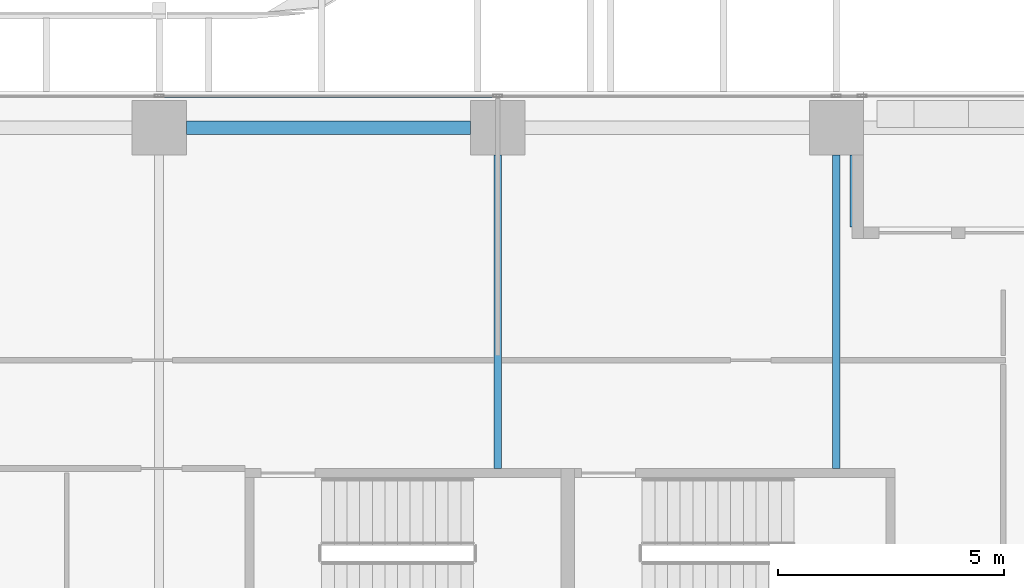
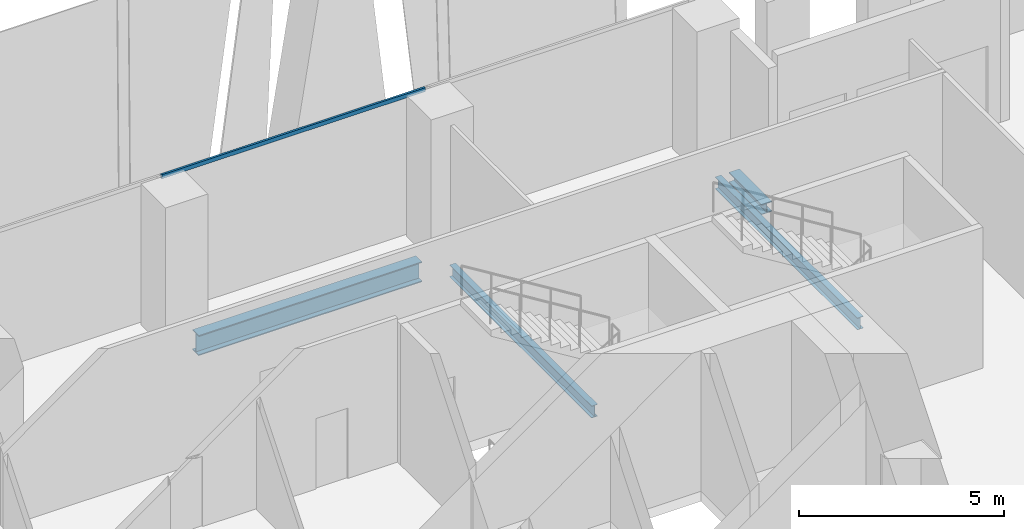
# One storey, part 14 of 35: 4 beams, 1 member, 1 element without a shape of its own.
"""IFC4 building model written with IfcOpenShell, lengths in metres."""

import ifcopenshell
import ifcopenshell.guid

model = None  # the IFC model being written
_history = None  # IfcOwnerHistory: only IFC2X3 demands one
_inside = {}  # id of a spatial element -> (the spatial element, [elements in it])
_under = {}  # id of a project, library or spatial element -> (it, [spatial elements below it])
_declared = {}  # id of a project -> (the project, [libraries it declares])
_typed = {}  # id of a type object -> (the type object, [elements of that type])
_made_of = {}  # id of a material, layer set ... -> (it, [elements and type objects made of it])


def new_model(schema):
    """Start an empty IFC model of exactly this schema.

    Asked for "IFC4X3", IfcOpenShell would pick the latest addendum, in which some entities
    have other attributes; the version numbers below select the first issue.
    IFC2X3 requires an IfcOwnerHistory on every rooted entity: one is made here for all.
    """
    global model, _history
    if schema == "IFC4X3":
        model = ifcopenshell.file(schema_version=(4, 3, 0, 0))
    else:
        model = ifcopenshell.file(schema=schema)
    _inside.clear()
    _under.clear()
    _declared.clear()
    _typed.clear()
    _made_of.clear()
    _history = None
    if model.schema == "IFC2X3":
        org = make("IfcOrganization", Name="unknown")
        user = make(
            "IfcPersonAndOrganization",
            ThePerson=make("IfcPerson", FamilyName="unknown"),
            TheOrganization=org,
        )
        app = make(
            "IfcApplication",
            ApplicationDeveloper=org,
            Version="unknown",
            ApplicationFullName="unknown",
            ApplicationIdentifier="unknown",
        )
        _history = make(
            "IfcOwnerHistory",
            OwningUser=user,
            OwningApplication=app,
            ChangeAction="ADDED",
            CreationDate=0,
        )
    return model


def make(cls, **values):
    """One entity of the class cls with the attributes given. An attribute that is None is left unset."""
    return model.create_entity(
        cls, **{name: value for name, value in values.items() if value is not None}
    )


def rooted(cls, **values):
    """An entity with a GlobalId (a new one), such as an element, a storey or a relation."""
    return make(cls, GlobalId=ifcopenshell.guid.new(), OwnerHistory=_history, **values)


def si_unit(unit_type, name, prefix=None):
    """IfcSIUnit, for example si_unit("LENGTHUNIT", "METRE", prefix="MILLI")."""
    return make("IfcSIUnit", UnitType=unit_type, Prefix=prefix, Name=name)


def assignment(units):
    """IfcUnitAssignment: the units of a project."""
    return None if units is None else make("IfcUnitAssignment", Units=units)


def point(xyz):
    """IfcCartesianPoint."""
    return None if xyz is None else make("IfcCartesianPoint", Coordinates=xyz)


def direction(xyz):
    """IfcDirection."""
    return None if xyz is None else make("IfcDirection", DirectionRatios=xyz)


def frame(location, z_axis=None, x_axis=None):
    """IfcAxis2Placement3D, a coordinate frame: its origin and axes. An axis left out is left unset."""
    return make(
        "IfcAxis2Placement3D",
        Location=point(location),
        Axis=direction(z_axis),
        RefDirection=direction(x_axis),
    )


def frame_2d(location, x_axis=None):
    """IfcAxis2Placement2D, a coordinate frame in the plane: its origin and x axis."""
    return make(
        "IfcAxis2Placement2D", Location=point(location), RefDirection=direction(x_axis)
    )


def origin():
    """The frame at (0, 0, 0) with its axes left unset."""
    return frame((0.0, 0.0, 0.0))


def origin_2d():
    """The frame at (0, 0) in the plane with its x axis left unset."""
    return frame_2d((0.0, 0.0))


def place(relative_to, where):
    """IfcLocalPlacement: puts the frame where relative to a parent placement (None: the world)."""
    return make(
        "IfcLocalPlacement", PlacementRelTo=relative_to, RelativePlacement=where
    )


def context(
    kind, dimensions, precision=None, world=None, true_north=None, identifier=None
):
    """IfcGeometricRepresentationContext, for example the 3D "Model" context."""
    return make(
        "IfcGeometricRepresentationContext",
        ContextIdentifier=identifier,
        ContextType=kind,
        CoordinateSpaceDimension=dimensions,
        Precision=precision,
        WorldCoordinateSystem=world,
        TrueNorth=true_north,
    )


def subcontext(parent, identifier, kind, view, scale=None):
    """IfcGeometricRepresentationSubContext, for example "Body" below "Model"."""
    return make(
        "IfcGeometricRepresentationSubContext",
        ContextIdentifier=identifier,
        ContextType=kind,
        ParentContext=parent,
        TargetScale=scale,
        TargetView=view,
    )


def project(units=None, contexts=None):
    """IfcProject with its units and contexts."""
    return rooted(
        "IfcProject",
        Name="project",
        RepresentationContexts=contexts,
        UnitsInContext=assignment(units),
    )


def spatial(cls, under=None, at=None, **own):
    """A site, building, storey or space (cls), placed at a placement, below another one or the project."""
    s = rooted(cls, ObjectPlacement=at, **own)
    if under is not None:
        _under.setdefault(under.id(), (under, []))[1].append(s)
    return s


def profile(cls, at=None, kind="AREA", **sizes):
    """A parametric profile (cls). Its sizes go by their IFC names, for example OverallWidth=200.0."""
    return make(cls, ProfileType=kind, Position=at, **sizes)


def hollow_rectangle(**sizes):
    """IfcRectangleHollowProfileDef."""
    return profile("IfcRectangleHollowProfileDef", **sizes)


def i_section(**sizes):
    """IfcIShapeProfileDef."""
    return profile("IfcIShapeProfileDef", **sizes)


def extrude(swept, where, along, depth):
    """IfcExtrudedAreaSolid: the profile swept, set in the frame where, extruded along a direction by depth."""
    return make(
        "IfcExtrudedAreaSolid",
        SweptArea=swept,
        Position=where,
        ExtrudedDirection=direction(along),
        Depth=depth,
    )


def shape(context_of_items, identifier, shape_type, items):
    """IfcShapeRepresentation: the items that make up one representation, for example the "Body"."""
    return make(
        "IfcShapeRepresentation",
        ContextOfItems=context_of_items,
        RepresentationIdentifier=identifier,
        RepresentationType=shape_type,
        Items=items,
    )


def source(mapping_origin, context_of_items, identifier, shape_type, items):
    """IfcRepresentationMap: a shape defined once, which mapped items show again and again."""
    return make(
        "IfcRepresentationMap",
        MappingOrigin=mapping_origin,
        MappedRepresentation=shape(context_of_items, identifier, shape_type, items),
    )


def transform(
    local_origin,
    x_axis=None,
    y_axis=None,
    z_axis=None,
    scale=None,
    scale2=None,
    scale3=None,
    uniform=True,
):
    """IfcCartesianTransformationOperator3D, or its non-uniform kind. x_axis, y_axis, z_axis: its Axis1, 2, 3."""
    if uniform:
        return make(
            "IfcCartesianTransformationOperator3D",
            Axis1=direction(x_axis),
            Axis2=direction(y_axis),
            LocalOrigin=point(local_origin),
            Scale=scale,
            Axis3=direction(z_axis),
        )
    return make(
        "IfcCartesianTransformationOperator3DnonUniform",
        Axis1=direction(x_axis),
        Axis2=direction(y_axis),
        LocalOrigin=point(local_origin),
        Scale=scale,
        Axis3=direction(z_axis),
        Scale2=scale2,
        Scale3=scale3,
    )


def mapped(mapping_source, mapping_target):
    """IfcMappedItem: shows the shape of a source again, moved by a transform."""
    return make(
        "IfcMappedItem", MappingSource=mapping_source, MappingTarget=mapping_target
    )


def material(Name=None, Category=None):
    """IfcMaterial."""
    return make("IfcMaterial", Name=Name, Category=Category)


def material_profile(
    of_material, cross_section, Name=None, Category=None, Priority=None
):
    """IfcMaterialProfile: a cross section and its material."""
    return make(
        "IfcMaterialProfile",
        Name=Name,
        Material=of_material,
        Profile=cross_section,
        Priority=Priority,
        Category=Category,
    )


def profile_set(profiles, Name=None, composite=None):
    """IfcMaterialProfileSet."""
    return make(
        "IfcMaterialProfileSet",
        Name=Name,
        MaterialProfiles=profiles,
        CompositeProfile=composite,
    )


def made_of(thing, what):
    """Note that an element or type object is made of a material, layer set ...; save() writes the relation."""
    if what is not None:
        _made_of.setdefault(what.id(), (what, []))[1].append(thing)
    return thing


def type_object(cls, material=None, **own):
    """A type object (cls), such as IfcWallType, which elements share."""
    return made_of(rooted(cls, **own), material)


def element(
    cls,
    number,
    at=None,
    inside=None,
    cuts=None,
    type_object=None,
    material=None,
    context=None,
    identifier="Body",
    shape_type=None,
    held_by="IfcProductDefinitionShape",
    body=None,
    shapes=None,
    **own,
):
    """One element of the class cls, such as IfcWall. Its Tag is "e" and its number.

    at: its placement. inside: the storey or other place that contains it. cuts: it is an
    opening in that element (IfcRelVoidsElement). A single representation is given by context,
    identifier, shape_type and body (its items); several are given by shapes. held_by: the class
    of the entity that holds the representations. save() writes the other relations.
    """
    e = rooted(cls, Tag="e%d" % number, ObjectPlacement=at, **own)
    if body is not None:
        shapes = [shape(context, identifier, shape_type, body)]
    if shapes is not None:
        e.Representation = make(held_by, Representations=shapes)
    if inside is not None:
        _inside.setdefault(inside.id(), (inside, []))[1].append(e)
    if cuts is not None:
        rooted(
            "IfcRelVoidsElement", RelatingBuildingElement=cuts, RelatedOpeningElement=e
        )
    if type_object is not None:
        _typed.setdefault(type_object.id(), (type_object, []))[1].append(e)
    return made_of(e, material)


def aggregate(whole, parts):
    """IfcRelAggregates: a whole, such as a stair, and the parts it consists of."""
    return rooted("IfcRelAggregates", RelatingObject=whole, RelatedObjects=parts)


def save(model, path):
    """Write the relations noted so far, then the file.

    IfcRelAggregates (storeys below a building ...), IfcRelContainedInSpatialStructure (elements
    in a storey), IfcRelDefinesByType, IfcRelAssociatesMaterial and IfcRelDeclares: one each for
    every whole, place, type object, material and project.
    """
    for whole, parts in _under.values():
        aggregate(whole, parts)
    for where, things in _inside.values():
        rooted(
            "IfcRelContainedInSpatialStructure",
            RelatedElements=things,
            RelatingStructure=where,
        )
    for kind, things in _typed.values():
        rooted("IfcRelDefinesByType", RelatedObjects=things, RelatingType=kind)
    for what, things in _made_of.values():
        rooted("IfcRelAssociatesMaterial", RelatedObjects=things, RelatingMaterial=what)
    for by, libraries in _declared.values():
        rooted("IfcRelDeclares", RelatingContext=by, RelatedDefinitions=libraries)
    model.write(path)


model = new_model("IFC4")

# Units and contexts
model_context = context("Model", 3, precision=1e-05, world=origin(), true_north=direction((0.0, 1.0)))
body_context = subcontext(model_context, "Body", "Model", "MODEL_VIEW")
ifc_project = project(units=[si_unit("LENGTHUNIT", "METRE"), si_unit("AREAUNIT", "SQUARE_METRE"), si_unit("VOLUMEUNIT", "CUBIC_METRE"), si_unit("PLANEANGLEUNIT", "RADIAN"), si_unit("MASSUNIT", "GRAM", prefix="KILO")], contexts=[model_context])

# Site, building, storey
site_placement = place(None, origin())
site = spatial("IfcSite", under=ifc_project, at=site_placement, CompositionType="ELEMENT")
building_placement = place(site_placement, origin())
building = spatial("IfcBuilding", under=site, at=building_placement, Name="Khomas Fold Tower", CompositionType="ELEMENT")
storey_placement = place(building_placement, frame((0.0, 0.0, 87.0)))
storey = spatial("IfcBuildingStorey", under=building, at=storey_placement, Name="L18", CompositionType="ELEMENT", Elevation=87.0)

# Beams
ifc_material_1 = material(Name="Steel S355", Category="steel")
ifc_material_profile_1 = material_profile(ifc_material_1, i_section(OverallWidth=0.169921875, OverallDepth=0.360107421875, WebThickness=0.008056640625, FlangeThickness=0.0126953125, at=origin_2d()), Name="IPE 360")
ifc_profile_set_1 = profile_set([ifc_material_profile_1], Name="Steel S355")
beam_type_1 = type_object("IfcBeamType", Name="IPE 360 beam JB2", PredefinedType="BEAM", material=ifc_profile_set_1)
shared_shape_1 = source(origin(), body_context, "Body", "SweptSolid", [
    extrude(i_section(OverallWidth=0.169921875, OverallDepth=0.360107421875, WebThickness=0.008056640625, FlangeThickness=0.0126953125, at=origin_2d()), origin(), (0.0, 0.0, 1.0), 6.9501953125),
])
for number, where, z_axis, x_axis, name in (
    (1, (19.5, 45.64990234375, -0.47998046875), (0.0, 1.0, 0.0), (-1.0, 0.0, 0.0), "JB2"),
    (2, (27.0, 45.64990234375, -0.47998046875), (0.0, 1.0, 0.0), (-1.0, 0.0, 0.0), "JB2"),
):
    element("IfcBeam", number, at=place(storey_placement, frame(where, z_axis=z_axis, x_axis=x_axis)), inside=storey, type_object=beam_type_1, Name=name, PredefinedType="BEAM", context=body_context, shape_type="MappedRepresentation", body=[
        mapped(shared_shape_1, transform((0.0, 0.0, 0.0))),
    ])
ifc_material_2 = material(Name="Steel S355", Category="steel")
ifc_material_profile_2 = material_profile(ifc_material_2, i_section(OverallWidth=0.300048828125, OverallDepth=0.60009765625, WebThickness=0.015380859375, FlangeThickness=0.030029296875, at=origin_2d()), Name="HE 600 B")
ifc_profile_set_2 = profile_set([ifc_material_profile_2], Name="Steel S355")
beam_type_2 = type_object("IfcBeamType", Name="HE 600 B spandrel SB1", PredefinedType="SPANDREL", material=ifc_profile_set_2)
shared_shape_2 = source(origin(), body_context, "Body", "SweptSolid", [
    extrude(i_section(OverallWidth=0.300048828125, OverallDepth=0.60009765625, WebThickness=0.015380859375, FlangeThickness=0.030029296875, at=origin_2d()), origin(), (0.0, 0.0, 1.0), 6.2998046875),
])
beam_1_placement = place(storey_placement, frame((12.60009765625, 53.199951171875, -0.60009765625), z_axis=(1.0, 0.0, 0.0), x_axis=(0.0, 1.0, 0.0)))
element("IfcBeam", 3, at=beam_1_placement, inside=storey, type_object=beam_type_2, Name="SB1", PredefinedType="SPANDREL", context=body_context, shape_type="MappedRepresentation", body=[
    mapped(shared_shape_2, transform((0.0, 0.0, 0.0))),
])
ifc_material_3 = material(Name="Steel S355", Category="steel")
ifc_material_profile_3 = material_profile(ifc_material_3, i_section(OverallWidth=0.300048828125, OverallDepth=0.300048828125, WebThickness=0.010986328125, FlangeThickness=0.01904296875, at=origin_2d()), Name="HE 300 B")
ifc_profile_set_3 = profile_set([ifc_material_profile_3], Name="Steel S355")
beam_type_3 = type_object("IfcBeamType", Name="HE 300 B beam BB1", PredefinedType="BEAM", material=ifc_profile_set_3)
shared_shape_3 = source(origin(), body_context, "Body", "SweptSolid", [
    extrude(i_section(OverallWidth=0.300048828125, OverallDepth=0.300048828125, WebThickness=0.010986328125, FlangeThickness=0.01904296875, at=origin_2d()), origin(), (0.0, 0.0, 1.0), 1.60009765625),
])
beam_2_placement = place(storey_placement, frame((27.449951171875, 51.0, -0.449951171875), z_axis=(0.0, 1.0, 0.0), x_axis=(-1.0, 0.0, 0.0)))
element("IfcBeam", 4, at=beam_2_placement, inside=storey, type_object=beam_type_3, Name="BB1", PredefinedType="BEAM", context=body_context, shape_type="MappedRepresentation", body=[
    mapped(shared_shape_3, transform((0.0, 0.0, 0.0))),
])

# Curtain wall, member
ifc_material_4 = material(Name="Aluminium framed double glazing", Category="aluminium")
curtain_wall_type = type_object("IfcCurtainWallType", Name="SK-Unitised clear-glass wall, growing floors CW1", PredefinedType="NOTDEFINED", material=ifc_material_4)
curtain_wall_placement = place(storey_placement, origin())
curtain_wall = element("IfcCurtainWall", 5, at=curtain_wall_placement, inside=storey, type_object=curtain_wall_type, Name="CW1 run L18 06-1", PredefinedType="NOTDEFINED")
ifc_material_5 = material(Name="Aluminium", Category="aluminium")
ifc_material_profile_4 = material_profile(ifc_material_5, hollow_rectangle(XDim=0.06005859375, YDim=0.1201171875, WallThickness=0.00390625, at=origin_2d()), Name="SK-Unitised clear-glass wall, growing floors transom CW1-T")
ifc_profile_set_4 = profile_set([ifc_material_profile_4], Name="Aluminium")
member_type = type_object("IfcMemberType", Name="SK-Unitised clear-glass wall, growing floors transom CW1-T", PredefinedType="USERDEFINED", material=ifc_profile_set_4)
shared_shape_4 = source(origin(), body_context, "Body", "SweptSolid", [
    extrude(hollow_rectangle(XDim=0.06005859375, YDim=0.1201171875, WallThickness=0.00390625, at=origin_2d()), origin(), (0.0, 0.0, 1.0), 7.43994140625),
])
member_placement = place(storey_placement, frame((19.469970703125, 53.89990234375, 4.139892578125), z_axis=(-1.0, 0.0, 0.0), x_axis=(0.0, -1.0, 0.0)))
member = element("IfcMember", 6, at=member_placement, type_object=member_type, Name="CW1 transom 3", ObjectType="TRANSOM", PredefinedType="USERDEFINED", context=body_context, shape_type="MappedRepresentation", body=[
    mapped(shared_shape_4, transform((0.0, 0.0, 0.0))),
])
aggregate(curtain_wall, [member])

save(model, "model.ifc")
